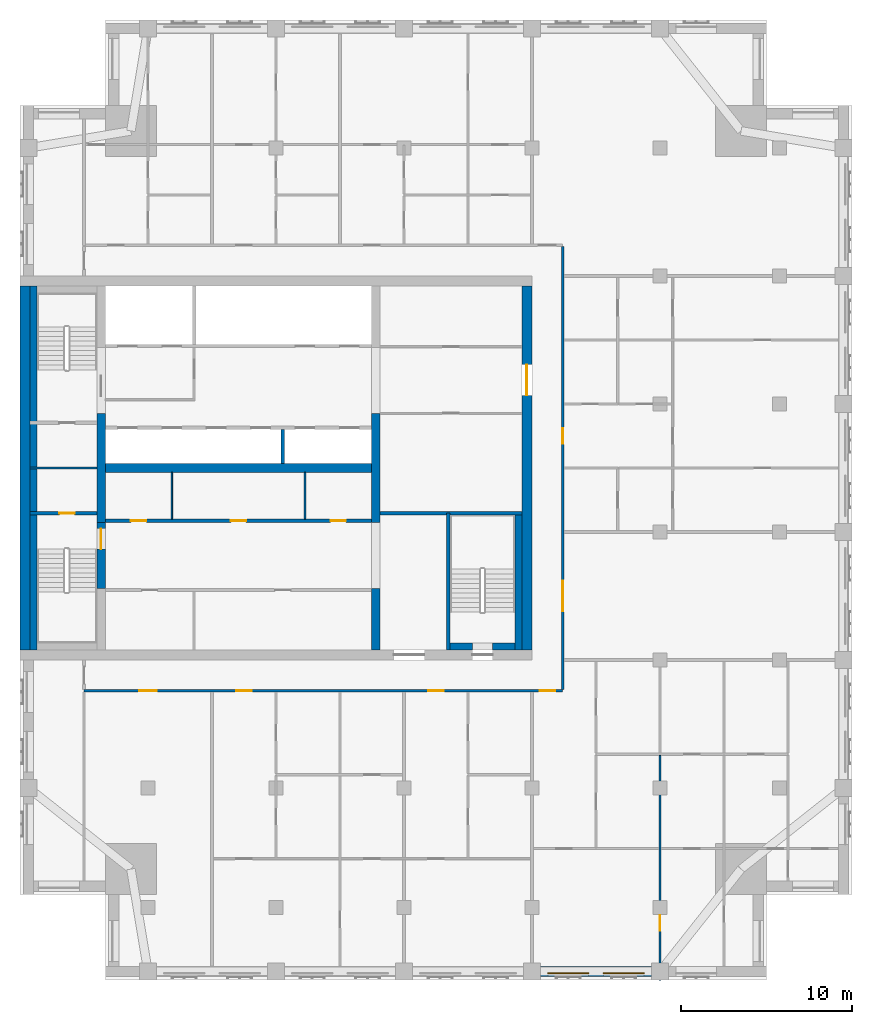
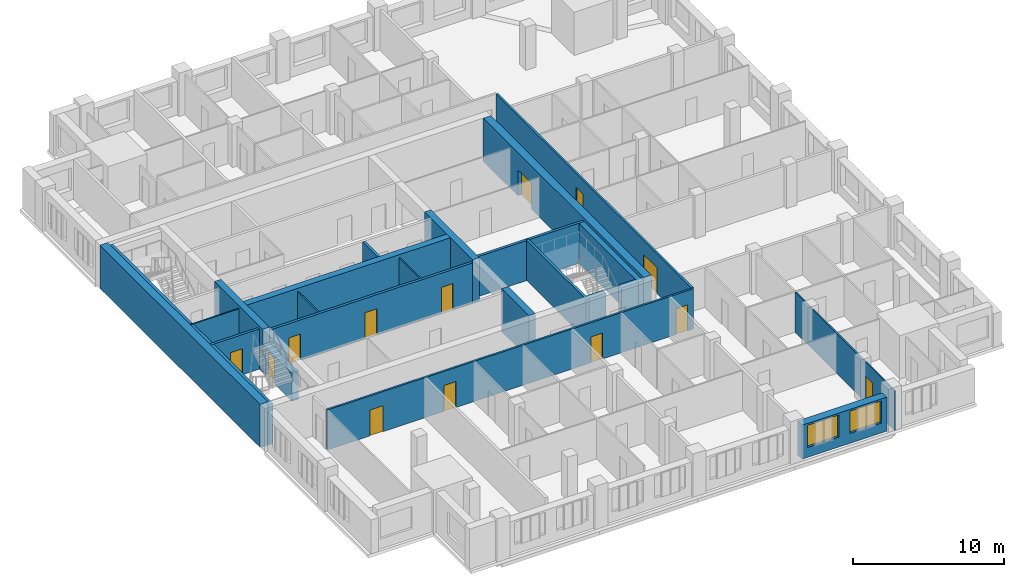
# One storey, part 4 of 11: 23 walls, 13 doors, 2 windows, 15 openings.
"""IFC4 building model written with IfcOpenShell, lengths in metres."""

from ifc_helpers import new_model, si_unit, direction, frame, frame_2d, origin, place, context, subcontext, project, spatial, rectangle, extrude, material, layer, layer_set, type_object, element, fill, save


model = new_model("IFC4")

# Units and contexts
model_context = context("Model", 3, precision=1e-05, world=origin(), true_north=direction((0.0, 1.0)))
body_context = subcontext(model_context, "Body", "Model", "MODEL_VIEW")
ifc_project = project(units=[si_unit("LENGTHUNIT", "METRE"), si_unit("AREAUNIT", "SQUARE_METRE"), si_unit("VOLUMEUNIT", "CUBIC_METRE"), si_unit("PLANEANGLEUNIT", "RADIAN"), si_unit("MASSUNIT", "GRAM", prefix="KILO")], contexts=[model_context])

# Site, building, storey
site_placement = place(None, origin())
site = spatial("IfcSite", under=ifc_project, at=site_placement, CompositionType="ELEMENT")
building_placement = place(site_placement, origin())
building = spatial("IfcBuilding", under=site, at=building_placement, Name="Tamorin Gate", CompositionType="ELEMENT")
storey_placement = place(building_placement, frame((0.0, 0.0, 233.699951171875)))
storey = spatial("IfcBuildingStorey", under=building, at=storey_placement, Name="L58", CompositionType="ELEMENT", Elevation=233.699951171875)

# Wall, openings, windows
ifc_material_1 = material(Name="Precast concrete C40/50", Category="concrete")
ifc_layer_1 = layer(ifc_material_1, 0.60009765625)
ifc_layer_set_1 = layer_set([ifc_layer_1], Name="Precast concrete C40/50")
wall_type_1 = type_object("IfcWallType", Name="Board-marked concrete facade panel 600", PredefinedType="SOLIDWALL", material=ifc_layer_set_1)
wall_1_placement = place(storey_placement, frame((60.5, 41.75, 0.0), z_axis=(0.0, 0.0, 1.0), x_axis=(1.0, 0.0, 0.0)))
wall_1 = element("IfcWall", 1, at=wall_1_placement, inside=storey, type_object=wall_type_1, Name="Facade panel", PredefinedType="SOLIDWALL", context=body_context, shape_type="SweptSolid", body=[
    extrude(rectangle(XDim=6.5, YDim=0.60009765625, at=frame_2d((3.25, 0.0))), origin(), (0.0, 0.0, 1.0), 2.75),
])
opening_1_placement = place(wall_1_placement, frame((0.425048828125, 0.0, 0.800048828125)))
opening_1 = element("IfcOpeningElement", 2, at=opening_1_placement, cuts=wall_1, Name="Opening WN1", PredefinedType="OPENING", context=body_context, shape_type="SweptSolid", body=[
    extrude(rectangle(XDim=2.39990234375, YDim=1.800048828125, at=frame_2d((1.199951171875, 0.89990234375))), frame((0.0, 0.31005859375, 0.0), z_axis=(0.0, -1.0, 0.0), x_axis=(1.0, 0.0, 0.0)), (0.0, 0.0, 1.0), 0.6201171875),
])
opening_2_placement = place(wall_1_placement, frame((3.675048828125, 0.0, 0.800048828125)))
opening_2 = element("IfcOpeningElement", 3, at=opening_2_placement, cuts=wall_1, Name="Opening WN1", PredefinedType="OPENING", context=body_context, shape_type="SweptSolid", body=[
    extrude(rectangle(XDim=2.39990234375, YDim=1.800048828125, at=frame_2d((1.199951171875, 0.89990234375))), frame((0.0, 0.31005859375, 0.0), z_axis=(0.0, -1.0, 0.0), x_axis=(1.0, 0.0, 0.0)), (0.0, 0.0, 1.0), 0.6201171875),
])
ifc_material_2 = material(Name="Clear glass in aluminium frame", Category="aluminium")
window_type = type_object("IfcWindowType", Name="Deep-set window 2400x1800", PartitioningType="SINGLE_PANEL", PredefinedType="WINDOW", material=ifc_material_2)
window_1_placement = place(opening_1_placement, origin())
window_1 = element("IfcWindow", 4, at=window_1_placement, inside=storey, type_object=window_type, Name="Deep-set window", OverallHeight=1.800048828125, OverallWidth=2.39990234375, PartitioningType="SINGLE_PANEL", PredefinedType="WINDOW", context=body_context, shape_type="SweptSolid", body=[
    extrude(rectangle(XDim=2.39990234375, YDim=1.800048828125, at=frame_2d((1.199951171875, 0.89990234375))), frame((0.0, -0.070068359375, 0.0), z_axis=(0.0, -1.0, 0.0), x_axis=(1.0, 0.0, 0.0)), (0.0, 0.0, 1.0), 0.06005859375),
])
fill(opening_1, window_1)
window_2_placement = place(opening_2_placement, origin())
window_2 = element("IfcWindow", 5, at=window_2_placement, inside=storey, type_object=window_type, Name="Deep-set window", OverallHeight=1.800048828125, OverallWidth=2.39990234375, PartitioningType="SINGLE_PANEL", PredefinedType="WINDOW", context=body_context, shape_type="SweptSolid", body=[
    extrude(rectangle(XDim=2.39990234375, YDim=1.800048828125, at=frame_2d((1.199951171875, 0.89990234375))), frame((0.0, -0.070068359375, 0.0), z_axis=(0.0, -1.0, 0.0), x_axis=(1.0, 0.0, 0.0)), (0.0, 0.0, 1.0), 0.06005859375),
])
fill(opening_2, window_2)

# Wall, openings, doors
ifc_material_3 = material(Name="Gypsum board partition")
ifc_layer_2 = layer(ifc_material_3, 0.14990234375)
ifc_layer_set_2 = layer_set([ifc_layer_2], Name="Corridor wall 150")
wall_type_2 = type_object("IfcWallType", Name="Corridor wall 150", PredefinedType="PARTITIONING", material=ifc_layer_set_2)
wall_2_placement = place(storey_placement, frame((33.75, 58.199951171875, 0.0), z_axis=(0.0, 0.0, 1.0), x_axis=(1.0, 0.0, 0.0)))
wall_2 = element("IfcWall", 6, at=wall_2_placement, inside=storey, type_object=wall_type_2, Name="Corridor wall 150", PredefinedType="PARTITIONING", context=body_context, shape_type="SweptSolid", body=[
    extrude(rectangle(XDim=28.050048828125, YDim=0.14990234375, at=frame_2d((14.02490234375, 0.0))), origin(), (0.0, 0.0, 1.0), 3.25),
])
opening_3_placement = place(wall_2_placement, frame((3.25, 0.0, 0.0)))
opening_3 = element("IfcOpeningElement", 7, at=opening_3_placement, cuts=wall_2, Name="Opening DR8002", PredefinedType="OPENING", context=body_context, shape_type="SweptSolid", body=[
    extrude(rectangle(XDim=1.0, YDim=2.10009765625, at=frame_2d((0.5, 1.050048828125))), frame((0.0, 0.0849609375, 0.0), z_axis=(0.0, -1.0, 0.0), x_axis=(1.0, 0.0, 0.0)), (0.0, 0.0, 1.0), 0.169921875),
])
opening_4_placement = place(wall_2_placement, frame((8.925048828125, 0.0, 0.0)))
opening_4 = element("IfcOpeningElement", 8, at=opening_4_placement, cuts=wall_2, Name="Opening DR8003", PredefinedType="OPENING", context=body_context, shape_type="SweptSolid", body=[
    extrude(rectangle(XDim=0.89990234375, YDim=2.10009765625, at=frame_2d((0.449951171875, 1.050048828125))), frame((0.0, 0.0849609375, 0.0), z_axis=(0.0, -1.0, 0.0), x_axis=(1.0, 0.0, 0.0)), (0.0, 0.0, 1.0), 0.169921875),
])
opening_5_placement = place(wall_2_placement, frame((20.175048828125, 0.0, 0.0)))
opening_5 = element("IfcOpeningElement", 9, at=opening_5_placement, cuts=wall_2, Name="Opening DR8010", PredefinedType="OPENING", context=body_context, shape_type="SweptSolid", body=[
    extrude(rectangle(XDim=0.89990234375, YDim=2.10009765625, at=frame_2d((0.449951171875, 1.050048828125))), frame((0.0, 0.0849609375, 0.0), z_axis=(0.0, -1.0, 0.0), x_axis=(1.0, 0.0, 0.0)), (0.0, 0.0, 1.0), 0.169921875),
])
opening_6_placement = place(wall_2_placement, frame((26.699951171875, 0.0, 0.0)))
opening_6 = element("IfcOpeningElement", 10, at=opening_6_placement, cuts=wall_2, Name="Opening DR8014", PredefinedType="OPENING", context=body_context, shape_type="SweptSolid", body=[
    extrude(rectangle(XDim=0.89990234375, YDim=2.10009765625, at=frame_2d((0.449951171875, 1.050048828125))), frame((0.0, 0.0849609375, 0.0), z_axis=(0.0, -1.0, 0.0), x_axis=(1.0, 0.0, 0.0)), (0.0, 0.0, 1.0), 0.169921875),
])
ifc_material_4 = material(Name="Timber door leaf", Category="wood")
door_type_1 = type_object("IfcDoorType", Name="Door 1000 x 2100 FD30S", OperationType="NOTDEFINED", PredefinedType="DOOR", material=ifc_material_4)
door_1_placement = place(opening_3_placement, origin())
door_1 = element("IfcDoor", 11, at=door_1_placement, inside=storey, type_object=door_type_1, Name="Door DR8002", OperationType="SINGLE_SWING_RIGHT", OverallHeight=2.10009765625, OverallWidth=1.0, PredefinedType="DOOR", context=body_context, shape_type="SweptSolid", body=[
    extrude(rectangle(XDim=1.0, YDim=2.10009765625, at=frame_2d((0.5, 1.050048828125))), frame((0.0, 0.02490234375, 0.0), z_axis=(0.0, -1.0, 0.0), x_axis=(1.0, 0.0, 0.0)), (0.0, 0.0, 1.0), 0.050048828125),
])
fill(opening_3, door_1)
door_type_2 = type_object("IfcDoorType", Name="Door 900 x 2100 FD30S", OperationType="NOTDEFINED", PredefinedType="DOOR", material=ifc_material_4)
door_2_placement = place(opening_4_placement, origin())
door_2 = element("IfcDoor", 12, at=door_2_placement, inside=storey, type_object=door_type_2, Name="Door DR8003", OperationType="SINGLE_SWING_RIGHT", OverallHeight=2.10009765625, OverallWidth=0.89990234375, PredefinedType="DOOR", context=body_context, shape_type="SweptSolid", body=[
    extrude(rectangle(XDim=0.89990234375, YDim=2.10009765625, at=frame_2d((0.449951171875, 1.050048828125))), frame((0.0, 0.02490234375, 0.0), z_axis=(0.0, -1.0, 0.0), x_axis=(1.0, 0.0, 0.0)), (0.0, 0.0, 1.0), 0.050048828125),
])
fill(opening_4, door_2)
door_3_placement = place(opening_5_placement, origin())
door_3 = element("IfcDoor", 13, at=door_3_placement, inside=storey, type_object=door_type_2, Name="Door DR8010", OperationType="SINGLE_SWING_RIGHT", OverallHeight=2.10009765625, OverallWidth=0.89990234375, PredefinedType="DOOR", context=body_context, shape_type="SweptSolid", body=[
    extrude(rectangle(XDim=0.89990234375, YDim=2.10009765625, at=frame_2d((0.449951171875, 1.050048828125))), frame((0.0, 0.02490234375, 0.0), z_axis=(0.0, -1.0, 0.0), x_axis=(1.0, 0.0, 0.0)), (0.0, 0.0, 1.0), 0.050048828125),
])
fill(opening_5, door_3)
door_4_placement = place(opening_6_placement, origin())
door_4 = element("IfcDoor", 14, at=door_4_placement, inside=storey, type_object=door_type_2, Name="Door DR8014", OperationType="SINGLE_SWING_RIGHT", OverallHeight=2.10009765625, OverallWidth=0.89990234375, PredefinedType="DOOR", context=body_context, shape_type="SweptSolid", body=[
    extrude(rectangle(XDim=0.89990234375, YDim=2.10009765625, at=frame_2d((0.449951171875, 1.050048828125))), frame((0.0, 0.02490234375, 0.0), z_axis=(0.0, -1.0, 0.0), x_axis=(1.0, 0.0, 0.0)), (0.0, 0.0, 1.0), 0.050048828125),
])
fill(opening_6, door_4)

wall_3_placement = place(storey_placement, frame((61.800048828125, 58.27490234375, 0.0), z_axis=(0.0, 0.0, 1.0), x_axis=(0.0, 1.0, 0.0)))
wall_3 = element("IfcWall", 15, at=wall_3_placement, inside=storey, type_object=wall_type_2, Name="Corridor wall 150", PredefinedType="PARTITIONING", context=body_context, shape_type="SweptSolid", body=[
    extrude(rectangle(XDim=25.9501953125, YDim=0.14990234375, at=frame_2d((12.97509765625, 0.0))), origin(), (0.0, 0.0, 1.0), 3.25),
])
opening_7_placement = place(wall_3_placement, frame((4.574951171875, 0.0, 0.0)))
opening_7 = element("IfcOpeningElement", 16, at=opening_7_placement, cuts=wall_3, Name="Opening DR8045", PredefinedType="OPENING", context=body_context, shape_type="SweptSolid", body=[
    extrude(rectangle(XDim=1.800048828125, YDim=2.10009765625, at=frame_2d((0.89990234375, 1.050048828125))), frame((0.0, 0.0849609375, 0.0), z_axis=(0.0, -1.0, 0.0), x_axis=(1.0, 0.0, 0.0)), (0.0, 0.0, 1.0), 0.169921875),
])
opening_8_placement = place(wall_3_placement, frame((14.39990234375, 0.0, 0.0)))
opening_8 = element("IfcOpeningElement", 17, at=opening_8_placement, cuts=wall_3, Name="Opening DR8048", PredefinedType="OPENING", context=body_context, shape_type="SweptSolid", body=[
    extrude(rectangle(XDim=0.89990234375, YDim=2.10009765625, at=frame_2d((0.449951171875, 1.050048828125))), frame((0.0, 0.0849609375, 0.0), z_axis=(0.0, -1.0, 0.0), x_axis=(1.0, 0.0, 0.0)), (0.0, 0.0, 1.0), 0.169921875),
])
door_type_3 = type_object("IfcDoorType", Name="Door 1800 x 2100 FD30S", OperationType="DOUBLE_DOOR_SINGLE_SWING", PredefinedType="DOOR", material=ifc_material_4)
door_5_placement = place(opening_7_placement, origin())
door_5 = element("IfcDoor", 18, at=door_5_placement, inside=storey, type_object=door_type_3, Name="Door DR8045", OperationType="DOUBLE_DOOR_SINGLE_SWING", OverallHeight=2.10009765625, OverallWidth=1.800048828125, PredefinedType="DOOR", context=body_context, shape_type="SweptSolid", body=[
    extrude(rectangle(XDim=1.800048828125, YDim=2.10009765625, at=frame_2d((0.89990234375, 1.050048828125))), frame((0.0, 0.02490234375, 0.0), z_axis=(0.0, -1.0, 0.0), x_axis=(1.0, 0.0, 0.0)), (0.0, 0.0, 1.0), 0.050048828125),
])
fill(opening_7, door_5)
door_6_placement = place(opening_8_placement, origin())
door_6 = element("IfcDoor", 19, at=door_6_placement, inside=storey, type_object=door_type_2, Name="Door DR8048", OperationType="SINGLE_SWING_RIGHT", OverallHeight=2.10009765625, OverallWidth=0.89990234375, PredefinedType="DOOR", context=body_context, shape_type="SweptSolid", body=[
    extrude(rectangle(XDim=0.89990234375, YDim=2.10009765625, at=frame_2d((0.449951171875, 1.050048828125))), frame((0.0, 0.02490234375, 0.0), z_axis=(0.0, -1.0, 0.0), x_axis=(1.0, 0.0, 0.0)), (0.0, 0.0, 1.0), 0.050048828125),
])
fill(opening_8, door_6)

# Walls
ifc_material_5 = material(Name="Concrete C32/40", Category="concrete")
ifc_layer_3 = layer(ifc_material_5, 0.199951171875)
ifc_layer_set_3 = layer_set([ifc_layer_3], Name="Lift shaft wall 200 EI 120")
wall_type_3 = type_object("IfcWallType", Name="Lift shaft wall 200 EI 120", PredefinedType="SOLIDWALL", material=ifc_layer_set_3)
wall_4_placement = place(storey_placement, frame((45.39990234375, 71.5, 0.0), z_axis=(0.0, 0.0, 1.0), x_axis=(0.0, 1.0, 0.0)))
element("IfcWall", 20, at=wall_4_placement, inside=storey, type_object=wall_type_3, Name="Lift shaft wall", PredefinedType="SOLIDWALL", context=body_context, shape_type="SweptSolid", body=[
    extrude(rectangle(XDim=2.0, YDim=0.199951171875, at=frame_2d((1.0, 0.0))), origin(), (0.0, 0.0, 1.0), 3.5),
])
ifc_material_6 = material(Name="Concrete C50/60", Category="concrete")
ifc_layer_4 = layer(ifc_material_6, 0.5)
ifc_layer_set_4 = layer_set([ifc_layer_4], Name="RC core internal wall 500 C50/60")
wall_type_4 = type_object("IfcWallType", Name="RC core internal wall 500 C50/60", PredefinedType="SHEAR", material=ifc_layer_set_4)
wall_5_placement = place(storey_placement, frame((35.0, 71.25, 0.0), z_axis=(0.0, 0.0, 1.0), x_axis=(1.0, 0.0, 0.0)))
element("IfcWall", 21, at=wall_5_placement, inside=storey, type_object=wall_type_4, Name="Core spine wall L58", PredefinedType="SHEAR", context=body_context, shape_type="SweptSolid", body=[
    extrude(rectangle(XDim=15.60009765625, YDim=0.5, at=frame_2d((7.800048828125, 0.0))), origin(), (0.0, 0.0, 1.0), 3.5),
])
wall_6_placement = place(storey_placement, frame((34.75, 68.050048828125, 0.0), z_axis=(0.0, 0.0, 1.0), x_axis=(0.0, 1.0, 0.0)))
element("IfcWall", 22, at=wall_6_placement, inside=storey, type_object=wall_type_4, Name="Core cross wall L58", PredefinedType="SHEAR", context=body_context, shape_type="SweptSolid", body=[
    extrude(rectangle(XDim=6.39990234375, YDim=0.5, at=frame_2d((3.199951171875, 0.0))), origin(), (0.0, 0.0, 1.0), 3.5),
])
wall_7_placement = place(storey_placement, frame((50.85009765625, 60.60009765625, 0.0), z_axis=(0.0, 0.0, 1.0), x_axis=(0.0, 1.0, 0.0)))
element("IfcWall", 23, at=wall_7_placement, inside=storey, type_object=wall_type_4, Name="Core cross wall L58", PredefinedType="SHEAR", context=body_context, shape_type="SweptSolid", body=[
    extrude(rectangle(XDim=3.599853515625, YDim=0.5, at=frame_2d((1.7998046875, 0.0))), origin(), (0.0, 0.0, 1.0), 3.5),
])
wall_8_placement = place(storey_placement, frame((50.85009765625, 68.050048828125, 0.0), z_axis=(0.0, 0.0, 1.0), x_axis=(0.0, 1.0, 0.0)))
element("IfcWall", 24, at=wall_8_placement, inside=storey, type_object=wall_type_4, Name="Core cross wall L58", PredefinedType="SHEAR", context=body_context, shape_type="SweptSolid", body=[
    extrude(rectangle(XDim=6.39990234375, YDim=0.5, at=frame_2d((3.199951171875, 0.0))), origin(), (0.0, 0.0, 1.0), 3.5),
])
ifc_layer_5 = layer(ifc_material_6, 0.60009765625)
ifc_layer_set_5 = layer_set([ifc_layer_5], Name="RC core wall 600 C50/60")
wall_type_5 = type_object("IfcWallType", Name="RC core wall 600 C50/60", PredefinedType="SHEAR", material=ifc_layer_set_5)
wall_9_placement = place(storey_placement, frame((30.300048828125, 60.60009765625, 0.0), z_axis=(0.0, 0.0, 1.0), x_axis=(0.0, 1.0, 0.0)))
element("IfcWall", 25, at=wall_9_placement, inside=storey, type_object=wall_type_5, Name="Core wall L58", PredefinedType="SHEAR", context=body_context, shape_type="SweptSolid", body=[
    extrude(rectangle(XDim=21.2998046875, YDim=0.60009765625, at=frame_2d((10.64990234375, 0.0))), origin(), (0.0, 0.0, 1.0), 3.5),
])

# Wall, opening, door
wall_10_placement = place(storey_placement, frame((59.699951171875, 60.60009765625, 0.0), z_axis=(0.0, 0.0, 1.0), x_axis=(0.0, 1.0, 0.0)))
wall_10 = element("IfcWall", 26, at=wall_10_placement, inside=storey, type_object=wall_type_5, Name="Core wall L58", PredefinedType="SHEAR", context=body_context, shape_type="SweptSolid", body=[
    extrude(rectangle(XDim=21.2998046875, YDim=0.60009765625, at=frame_2d((10.64990234375, 0.0))), origin(), (0.0, 0.0, 1.0), 3.5),
])
opening_9_placement = place(wall_10_placement, frame((14.89990234375, 0.0, 0.0)))
opening_9 = element("IfcOpeningElement", 27, at=opening_9_placement, cuts=wall_10, Name="Opening DE1", PredefinedType="OPENING", context=body_context, shape_type="SweptSolid", body=[
    extrude(rectangle(XDim=1.800048828125, YDim=2.10009765625, at=frame_2d((0.89990234375, 1.050048828125))), frame((0.0, 0.31005859375, 0.0), z_axis=(0.0, -1.0, 0.0), x_axis=(1.0, 0.0, 0.0)), (0.0, 0.0, 1.0), 0.6201171875),
])
ifc_material_7 = material(Name="Steel fire door", Category="steel")
door_type_4 = type_object("IfcDoorType", Name="Lobby exit double door 1800 x 2100 EI 60", OperationType="DOUBLE_DOOR_SINGLE_SWING", PredefinedType="DOOR", material=ifc_material_7)
door_7_placement = place(opening_9_placement, origin())
door_7 = element("IfcDoor", 28, at=door_7_placement, inside=storey, type_object=door_type_4, Name="Lift lobby B exit door", OperationType="DOUBLE_DOOR_SINGLE_SWING", OverallHeight=2.10009765625, OverallWidth=1.800048828125, PredefinedType="DOOR", context=body_context, shape_type="SweptSolid", body=[
    extrude(rectangle(XDim=1.800048828125, YDim=2.10009765625, at=frame_2d((0.89990234375, 1.050048828125))), frame((0.0, 0.02490234375, 0.0), z_axis=(0.0, -1.0, 0.0), x_axis=(1.0, 0.0, 0.0)), (0.0, 0.0, 1.0), 0.050048828125),
])
fill(opening_9, door_7)

# Wall
ifc_material_8 = material(Name="Fire-rated gypsum board partition")
ifc_layer_6 = layer(ifc_material_8, 0.10009765625)
ifc_layer_set_6 = layer_set([ifc_layer_6], Name="Riser partition 100 EI 120")
wall_type_6 = type_object("IfcWallType", Name="Riser partition 100 EI 120", PredefinedType="PARTITIONING", material=ifc_layer_set_6)
wall_11_placement = place(storey_placement, frame((30.60009765625, 71.25, 0.0), z_axis=(0.0, 0.0, 1.0), x_axis=(1.0, 0.0, 0.0)))
element("IfcWall", 29, at=wall_11_placement, inside=storey, type_object=wall_type_6, Name="Riser partition", PredefinedType="PARTITIONING", context=body_context, shape_type="SweptSolid", body=[
    extrude(rectangle(XDim=3.89990234375, YDim=0.10009765625, at=frame_2d((1.949951171875, 0.0))), origin(), (0.0, 0.0, 1.0), 3.25),
])

# Wall, opening, door
ifc_layer_7 = layer(ifc_material_3, 0.10009765625)
ifc_layer_set_7 = layer_set([ifc_layer_7], Name="Room partition 100")
wall_type_7 = type_object("IfcWallType", Name="Room partition 100", PredefinedType="PARTITIONING", material=ifc_layer_set_7)
wall_12_placement = place(storey_placement, frame((67.5, 41.25, 0.0), z_axis=(0.0, 0.0, 1.0), x_axis=(0.0, 1.0, 0.0)))
wall_12 = element("IfcWall", 30, at=wall_12_placement, inside=storey, type_object=wall_type_7, Name="Room partition 100", PredefinedType="PARTITIONING", context=body_context, shape_type="SweptSolid", body=[
    extrude(rectangle(XDim=13.16259765625, YDim=0.10009765625, at=frame_2d((6.581298828125, 0.0))), origin(), (0.0, 0.0, 1.0), 3.25),
])
opening_10_placement = place(wall_12_placement, frame((2.89990234375, 0.0, 0.0)))
opening_10 = element("IfcOpeningElement", 31, at=opening_10_placement, cuts=wall_12, Name="Opening DR8023", PredefinedType="OPENING", context=body_context, shape_type="SweptSolid", body=[
    extrude(rectangle(XDim=0.89990234375, YDim=2.10009765625, at=frame_2d((0.449951171875, 1.050048828125))), frame((0.0, 0.06005859375, 0.0), z_axis=(0.0, -1.0, 0.0), x_axis=(1.0, 0.0, 0.0)), (0.0, 0.0, 1.0), 0.1201171875),
])
door_type_5 = type_object("IfcDoorType", Name="Door 900 x 2100", OperationType="NOTDEFINED", PredefinedType="DOOR", material=ifc_material_4)
door_8_placement = place(opening_10_placement, origin())
door_8 = element("IfcDoor", 32, at=door_8_placement, inside=storey, type_object=door_type_5, Name="Door DR8023", OperationType="SINGLE_SWING_LEFT", OverallHeight=2.10009765625, OverallWidth=0.89990234375, PredefinedType="DOOR", context=body_context, shape_type="SweptSolid", body=[
    extrude(rectangle(XDim=0.89990234375, YDim=2.10009765625, at=frame_2d((0.449951171875, 1.050048828125))), frame((0.0, 0.02490234375, 0.0), z_axis=(0.0, -1.0, 0.0), x_axis=(1.0, 0.0, 0.0)), (0.0, 0.0, 1.0), 0.050048828125),
])
fill(opening_10, door_8)

# Wall, openings, doors
ifc_layer_8 = layer(ifc_material_3, 0.199951171875)
ifc_layer_set_8 = layer_set([ifc_layer_8], Name="Service room face wall 200 EI 60")
wall_type_8 = type_object("IfcWallType", Name="Service room face wall 200 EI 60", PredefinedType="PARTITIONING", material=ifc_layer_set_8)
wall_13_placement = place(storey_placement, frame((35.0, 68.14990234375, 0.0), z_axis=(0.0, 0.0, 1.0), x_axis=(1.0, 0.0, 0.0)))
wall_13 = element("IfcWall", 33, at=wall_13_placement, inside=storey, type_object=wall_type_8, Name="Service room face wall", PredefinedType="PARTITIONING", context=body_context, shape_type="SweptSolid", body=[
    extrude(rectangle(XDim=15.60009765625, YDim=0.199951171875, at=frame_2d((7.800048828125, 0.0))), origin(), (0.0, 0.0, 1.0), 3.25),
])
opening_11_placement = place(wall_13_placement, frame((1.5, 0.0, 0.0)))
opening_11 = element("IfcOpeningElement", 34, at=opening_11_placement, cuts=wall_13, Name="Opening DK1", PredefinedType="OPENING", context=body_context, shape_type="SweptSolid", body=[
    extrude(rectangle(XDim=0.89990234375, YDim=2.10009765625, at=frame_2d((0.449951171875, 1.050048828125))), frame((0.0, 0.10986328125, 0.0), z_axis=(0.0, -1.0, 0.0), x_axis=(1.0, 0.0, 0.0)), (0.0, 0.0, 1.0), 0.219970703125),
])
opening_12_placement = place(wall_13_placement, frame((7.35009765625, 0.0, 0.0)))
opening_12 = element("IfcOpeningElement", 35, at=opening_12_placement, cuts=wall_13, Name="Opening DK1", PredefinedType="OPENING", context=body_context, shape_type="SweptSolid", body=[
    extrude(rectangle(XDim=0.89990234375, YDim=2.10009765625, at=frame_2d((0.449951171875, 1.050048828125))), frame((0.0, 0.10986328125, 0.0), z_axis=(0.0, -1.0, 0.0), x_axis=(1.0, 0.0, 0.0)), (0.0, 0.0, 1.0), 0.219970703125),
])
opening_13_placement = place(wall_13_placement, frame((13.199951171875, 0.0, 0.0)))
opening_13 = element("IfcOpeningElement", 36, at=opening_13_placement, cuts=wall_13, Name="Opening DK1", PredefinedType="OPENING", context=body_context, shape_type="SweptSolid", body=[
    extrude(rectangle(XDim=0.89990234375, YDim=2.10009765625, at=frame_2d((0.449951171875, 1.050048828125))), frame((0.0, 0.10986328125, 0.0), z_axis=(0.0, -1.0, 0.0), x_axis=(1.0, 0.0, 0.0)), (0.0, 0.0, 1.0), 0.219970703125),
])
ifc_material_9 = material(Name="Timber fire door", Category="wood")
door_type_6 = type_object("IfcDoorType", Name="Service room door 900 x 2100 EI 60", OperationType="SINGLE_SWING_LEFT", PredefinedType="DOOR", material=ifc_material_9)
door_9_placement = place(opening_11_placement, origin())
door_9 = element("IfcDoor", 37, at=door_9_placement, inside=storey, type_object=door_type_6, Name="Door Housekeeping store", OperationType="SINGLE_SWING_RIGHT", OverallHeight=2.10009765625, OverallWidth=0.89990234375, PredefinedType="DOOR", context=body_context, shape_type="SweptSolid", body=[
    extrude(rectangle(XDim=0.89990234375, YDim=2.10009765625, at=frame_2d((0.449951171875, 1.050048828125))), frame((0.0, 0.02490234375, 0.0), z_axis=(0.0, -1.0, 0.0), x_axis=(1.0, 0.0, 0.0)), (0.0, 0.0, 1.0), 0.050048828125),
])
fill(opening_11, door_9)
door_10_placement = place(opening_12_placement, origin())
door_10 = element("IfcDoor", 38, at=door_10_placement, inside=storey, type_object=door_type_6, Name="Door Electrical and IT room", OperationType="SINGLE_SWING_LEFT", OverallHeight=2.10009765625, OverallWidth=0.89990234375, PredefinedType="DOOR", context=body_context, shape_type="SweptSolid", body=[
    extrude(rectangle(XDim=0.89990234375, YDim=2.10009765625, at=frame_2d((0.449951171875, 1.050048828125))), frame((0.0, 0.02490234375, 0.0), z_axis=(0.0, -1.0, 0.0), x_axis=(1.0, 0.0, 0.0)), (0.0, 0.0, 1.0), 0.050048828125),
])
fill(opening_12, door_10)
door_11_placement = place(opening_13_placement, origin())
door_11 = element("IfcDoor", 39, at=door_11_placement, inside=storey, type_object=door_type_6, Name="Door Linen store", OperationType="SINGLE_SWING_RIGHT", OverallHeight=2.10009765625, OverallWidth=0.89990234375, PredefinedType="DOOR", context=body_context, shape_type="SweptSolid", body=[
    extrude(rectangle(XDim=0.89990234375, YDim=2.10009765625, at=frame_2d((0.449951171875, 1.050048828125))), frame((0.0, 0.02490234375, 0.0), z_axis=(0.0, -1.0, 0.0), x_axis=(1.0, 0.0, 0.0)), (0.0, 0.0, 1.0), 0.050048828125),
])
fill(opening_13, door_11)

# Walls
ifc_layer_9 = layer(ifc_material_3, 0.10009765625)
ifc_layer_set_9 = layer_set([ifc_layer_9], Name="Service room partition 100 EI 60")
wall_type_9 = type_object("IfcWallType", Name="Service room partition 100 EI 60", PredefinedType="PARTITIONING", material=ifc_layer_set_9)
for number, where, z_axis, x_axis, name in (
    (40, (38.89990234375, 68.25, 0.0), (0.0, 0.0, 1.0), (0.0, 1.0, 0.0), "Service room partition"),
    (41, (46.699951171875, 68.25, 0.0), (0.0, 0.0, 1.0), (0.0, 1.0, 0.0), "Service room partition"),
):
    element("IfcWall", number, at=place(storey_placement, frame(where, z_axis=z_axis, x_axis=x_axis)), inside=storey, type_object=wall_type_9, Name=name, PredefinedType="PARTITIONING", context=body_context, shape_type="SweptSolid", body=[
        extrude(rectangle(XDim=2.75, YDim=0.10009765625, at=frame_2d((1.375, 0.0))), origin(), (0.0, 0.0, 1.0), 3.25),
    ])

# Wall, opening, door
ifc_material_10 = material(Name="Concrete C40/50", Category="concrete")
ifc_layer_10 = layer(ifc_material_10, 0.199951171875)
ifc_layer_set_10 = layer_set([ifc_layer_10], Name="Stair enclosure wall 200 EI 120 C40/50")
wall_type_10 = type_object("IfcWallType", Name="Stair enclosure wall 200 EI 120 C40/50", PredefinedType="SOLIDWALL", material=ifc_layer_set_10)
wall_14_placement = place(storey_placement, frame((30.60009765625, 68.60009765625, 0.0), z_axis=(0.0, 0.0, 1.0), x_axis=(1.0, 0.0, 0.0)))
wall_14 = element("IfcWall", 42, at=wall_14_placement, inside=storey, type_object=wall_type_10, Name="Stair enclosure wall", PredefinedType="SOLIDWALL", context=body_context, shape_type="SweptSolid", body=[
    extrude(rectangle(XDim=3.89990234375, YDim=0.199951171875, at=frame_2d((1.949951171875, 0.0))), origin(), (0.0, 0.0, 1.0), 3.25),
])
opening_14_placement = place(wall_14_placement, frame((1.699951171875, 0.0, 0.0)))
opening_14 = element("IfcOpeningElement", 43, at=opening_14_placement, cuts=wall_14, Name="Opening DR1", PredefinedType="OPENING", context=body_context, shape_type="SweptSolid", body=[
    extrude(rectangle(XDim=0.89990234375, YDim=2.10009765625, at=frame_2d((0.449951171875, 1.050048828125))), frame((0.0, 0.10986328125, 0.0), z_axis=(0.0, -1.0, 0.0), x_axis=(1.0, 0.0, 0.0)), (0.0, 0.0, 1.0), 0.219970703125),
])
door_type_7 = type_object("IfcDoorType", Name="Riser access door 900 x 2100 EI 120", OperationType="SINGLE_SWING_LEFT", PredefinedType="DOOR", material=ifc_material_7)
door_12_placement = place(opening_14_placement, origin())
door_12 = element("IfcDoor", 44, at=door_12_placement, inside=storey, type_object=door_type_7, Name="Electrical riser door", OperationType="SINGLE_SWING_LEFT", OverallHeight=2.10009765625, OverallWidth=0.89990234375, PredefinedType="DOOR", context=body_context, shape_type="SweptSolid", body=[
    extrude(rectangle(XDim=0.89990234375, YDim=2.10009765625, at=frame_2d((0.449951171875, 1.050048828125))), frame((0.0, 0.02490234375, 0.0), z_axis=(0.0, -1.0, 0.0), x_axis=(1.0, 0.0, 0.0)), (0.0, 0.0, 1.0), 0.050048828125),
])
fill(opening_14, door_12)

# Walls
wall_15_placement = place(storey_placement, frame((55.10009765625, 60.60009765625, 0.0), z_axis=(0.0, 0.0, 1.0), x_axis=(0.0, 1.0, 0.0)))
element("IfcWall", 45, at=wall_15_placement, inside=storey, type_object=wall_type_10, Name="Stair enclosure wall", PredefinedType="SOLIDWALL", context=body_context, shape_type="SweptSolid", body=[
    extrude(rectangle(XDim=8.0, YDim=0.199951171875, at=frame_2d((4.0, 0.0))), origin(), (0.0, 0.0, 1.0), 3.25),
])
wall_16_placement = place(storey_placement, frame((51.10009765625, 68.60009765625, 0.0), z_axis=(0.0, 0.0, 1.0), x_axis=(1.0, 0.0, 0.0)))
element("IfcWall", 46, at=wall_16_placement, inside=storey, type_object=wall_type_10, Name="Stair enclosure wall", PredefinedType="SOLIDWALL", context=body_context, shape_type="SweptSolid", body=[
    extrude(rectangle(XDim=8.2998046875, YDim=0.199951171875, at=frame_2d((4.14990234375, 0.0))), origin(), (0.0, 0.0, 1.0), 3.25),
])
ifc_layer_11 = layer(ifc_material_6, 0.39990234375)
ifc_layer_set_11 = layer_set([ifc_layer_11], Name="Stair lining wall 400 EI 120 C50/60")
wall_type_11 = type_object("IfcWallType", Name="Stair lining wall 400 EI 120 C50/60", PredefinedType="SOLIDWALL", material=ifc_layer_set_11)
wall_17_placement = place(storey_placement, frame((30.800048828125, 60.60009765625, 0.0), z_axis=(0.0, 0.0, 1.0), x_axis=(0.0, 1.0, 0.0)))
element("IfcWall", 47, at=wall_17_placement, inside=storey, type_object=wall_type_11, Name="Stair lining wall", PredefinedType="SOLIDWALL", context=body_context, shape_type="SweptSolid", body=[
    extrude(rectangle(XDim=21.2998046875, YDim=0.39990234375, at=frame_2d((10.64990234375, 0.0))), origin(), (0.0, 0.0, 1.0), 3.25),
])
for number, where, z_axis, x_axis, name in (
    (48, (55.199951171875, 60.800048828125, 0.0), (0.0, 0.0, 1.0), (1.0, 0.0, 0.0), "Stair lining wall"),
    (49, (57.699951171875, 60.800048828125, 0.0), (0.0, 0.0, 1.0), (1.0, 0.0, 0.0), "Stair lining wall"),
):
    element("IfcWall", number, at=place(storey_placement, frame(where, z_axis=z_axis, x_axis=x_axis)), inside=storey, type_object=wall_type_11, Name=name, PredefinedType="SOLIDWALL", context=body_context, shape_type="SweptSolid", body=[
        extrude(rectangle(XDim=1.300048828125, YDim=0.39990234375, at=frame_2d((0.64990234375, 0.0))), origin(), (0.0, 0.0, 1.0), 3.25),
    ])
wall_18_placement = place(storey_placement, frame((59.199951171875, 60.60009765625, 0.0), z_axis=(0.0, 0.0, 1.0), x_axis=(0.0, 1.0, 0.0)))
element("IfcWall", 50, at=wall_18_placement, inside=storey, type_object=wall_type_11, Name="Stair lining wall", PredefinedType="SOLIDWALL", context=body_context, shape_type="SweptSolid", body=[
    extrude(rectangle(XDim=7.89990234375, YDim=0.39990234375, at=frame_2d((3.949951171875, 0.0))), origin(), (0.0, 0.0, 1.0), 3.25),
])

# Wall, opening, door
ifc_layer_12 = layer(ifc_material_5, 0.5)
ifc_layer_set_12 = layer_set([ifc_layer_12], Name="Stair lobby infill wall 500 EI 120")
wall_type_12 = type_object("IfcWallType", Name="Stair lobby infill wall 500 EI 120", PredefinedType="SOLIDWALL", material=ifc_layer_set_12)
wall_19_placement = place(storey_placement, frame((34.75, 64.199951171875, 0.0), z_axis=(0.0, 0.0, 1.0), x_axis=(0.0, 1.0, 0.0)))
wall_19 = element("IfcWall", 51, at=wall_19_placement, inside=storey, type_object=wall_type_12, Name="Stair lobby infill wall", PredefinedType="SOLIDWALL", context=body_context, shape_type="SweptSolid", body=[
    extrude(rectangle(XDim=3.85009765625, YDim=0.5, at=frame_2d((1.925048828125, 0.0))), origin(), (0.0, 0.0, 1.0), 2.300048828125),
])
opening_15_placement = place(wall_19_placement, frame((2.300048828125, 0.0, 0.0)))
opening_15 = element("IfcOpeningElement", 52, at=opening_15_placement, cuts=wall_19, Name="Opening DS1", PredefinedType="OPENING", context=body_context, shape_type="SweptSolid", body=[
    extrude(rectangle(XDim=1.199951171875, YDim=2.10009765625, at=frame_2d((0.60009765625, 1.050048828125))), frame((0.0, 0.260009765625, 0.0), z_axis=(0.0, -1.0, 0.0), x_axis=(1.0, 0.0, 0.0)), (0.0, 0.0, 1.0), 0.52001953125),
])
door_type_8 = type_object("IfcDoorType", Name="Stair door 1200 x 2100 EI 90", OperationType="SINGLE_SWING_LEFT", PredefinedType="DOOR", material=ifc_material_7)
door_13_placement = place(opening_15_placement, origin())
door_13 = element("IfcDoor", 53, at=door_13_placement, inside=storey, type_object=door_type_8, Name="ST1 door", OperationType="SINGLE_SWING_LEFT", OverallHeight=2.10009765625, OverallWidth=1.199951171875, PredefinedType="DOOR", context=body_context, shape_type="SweptSolid", body=[
    extrude(rectangle(XDim=1.199951171875, YDim=2.10009765625, at=frame_2d((0.60009765625, 1.050048828125))), frame((0.0, 0.02490234375, 0.0), z_axis=(0.0, -1.0, 0.0), x_axis=(1.0, 0.0, 0.0)), (0.0, 0.0, 1.0), 0.050048828125),
])
fill(opening_15, door_13)

save(model, "model.ifc")
